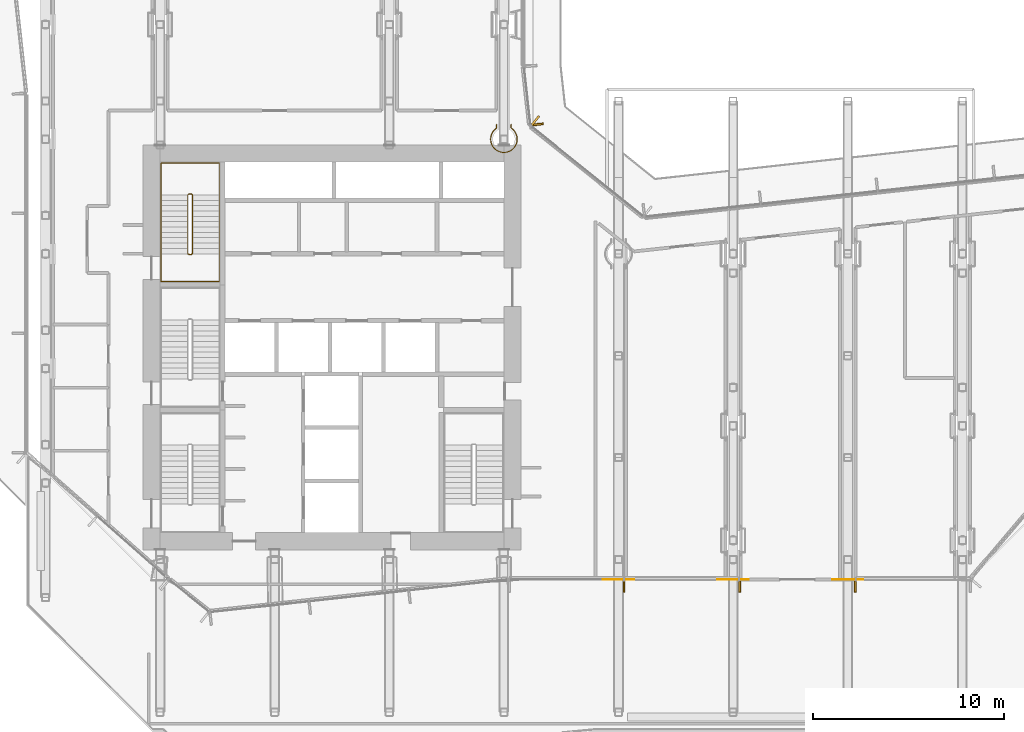
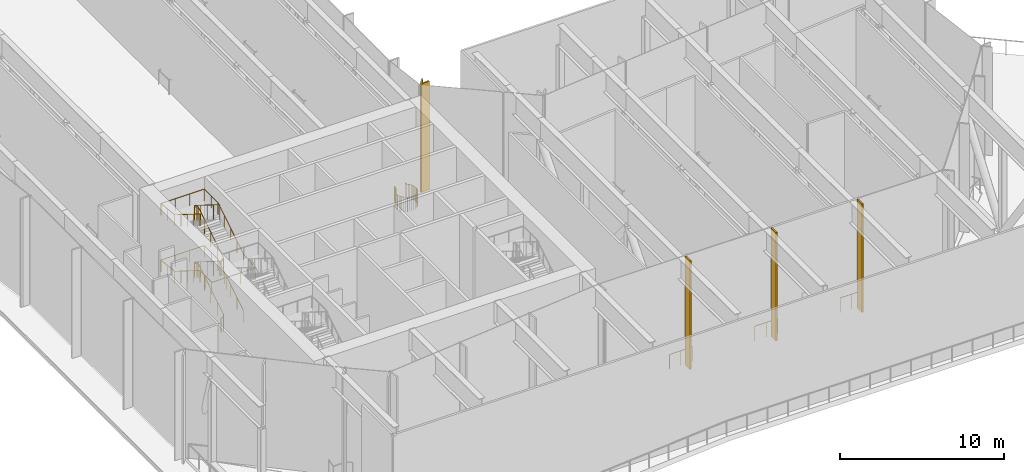
# One storey, part 20 of 25: 6 railings, 5 coverings.
"""IFC4 building model written with IfcOpenShell, lengths in metres."""

from ifc_helpers import new_model, si_unit, direction, frame, origin, origin_2d, place, context, subcontext, project, spatial, rectangle, circle, extrude, material, layer, layer_set, type_object, element, save


model = new_model("IFC4")

# Units and contexts
model_context = context("Model", 3, precision=1e-05, world=origin(), true_north=direction((0.0, 1.0)))
body_context = subcontext(model_context, "Body", "Model", "MODEL_VIEW")
ifc_project = project(units=[si_unit("LENGTHUNIT", "METRE"), si_unit("AREAUNIT", "SQUARE_METRE"), si_unit("VOLUMEUNIT", "CUBIC_METRE"), si_unit("PLANEANGLEUNIT", "RADIAN"), si_unit("MASSUNIT", "GRAM", prefix="KILO")], contexts=[model_context])

# Site, building, storey
site_placement = place(None, origin())
site = spatial("IfcSite", under=ifc_project, at=site_placement, CompositionType="ELEMENT")
building_placement = place(site_placement, origin())
building = spatial("IfcBuilding", under=site, at=building_placement, Name="Welwitschia Terrace Campus", CompositionType="ELEMENT")
storey_placement = place(building_placement, frame((0.0, 0.0, 79.39990234375)))
storey = spatial("IfcBuildingStorey", under=building, at=storey_placement, Name="L18", CompositionType="ELEMENT", Elevation=79.39990234375)

# Coverings
ifc_material_1 = material(Name="Bronze anodised aluminium", Category="aluminium")
ifc_layer = layer(ifc_material_1, 0.10009765625)
ifc_layer_set = layer_set([ifc_layer], Name="Bronze anodised aluminium")
covering_type = type_object("IfcCoveringType", Name="Bronze fin 100x600", PredefinedType="USERDEFINED", material=ifc_layer_set)
for number, where, z_axis, x_axis, name in (
    (1, (30.288330078125, 2.570068359375, 0.0), (0.0, 0.0, 1.0), (1.0, 0.0, 0.0), "Fin L18.8.1"),
    (2, (36.337158203125, 2.570068359375, 0.0), (0.0, 0.0, 1.0), (1.0, 0.0, 0.0), "Fin L18.8.2"),
    (3, (42.385986328125, 2.570068359375, 0.0), (0.0, 0.0, 1.0), (1.0, 0.0, 0.0), "Fin L18.8.3"),
    (4, (25.65283203125, 26.97900390625, 0.0), (0.0, 0.0, 1.0), (-0.779884483093, 0.625923472184, 0.0), "Fin L18.13.1"),
    (5, (25.76611328125, 26.772705078125, 0.0), (0.0, 0.0, 1.0), (-0.108866874852, 0.994056338222, 0.0), "Fin L18.14.0"),
):
    element("IfcCovering", number, at=place(storey_placement, frame(where, z_axis=z_axis, x_axis=x_axis)), inside=storey, type_object=covering_type, Name=name, ObjectType="FIN", PredefinedType="USERDEFINED", context=body_context, shape_type="SweptSolid", body=[
        extrude(rectangle(XDim=0.10009765625, YDim=0.60009765625, at=origin_2d()), origin(), (0.0, 0.0, 1.0), 8.050048828125),
    ])

# Railings
ifc_material_2 = material(Name="Stainless steel grade 316", Category="steel")
railing_type_1 = type_object("IfcRailingType", Name="Guard 1100", PredefinedType="GUARDRAIL", material=ifc_material_2)
for number, where, name in (
    (6, (29.199951171875, 2.949951171875, 0.0), "Guard terrace L18:0:0.5"),
    (7, (35.199951171875, 2.949951171875, 0.0), "Guard terrace L18:0:0.6"),
    (8, (41.199951171875, 2.949951171875, 0.0), "Guard terrace L18:0:0.7"),
):
    element("IfcRailing", number, at=place(storey_placement, frame(where)), inside=storey, type_object=railing_type_1, Name=name, PredefinedType="GUARDRAIL", context=body_context, shape_type="SweptSolid", body=[
        extrude(circle(Radius=0.02392578125, at=origin_2d()), frame((0.0, 0.0, 1.076171875), z_axis=(1.0, 0.0, 0.0), x_axis=(0.0, 1.0, 0.0)), (0.0, 0.0, 1.0), 1.60009765625),
        extrude(circle(Radius=0.02099609375, at=origin_2d()), origin(), (0.0, 0.0, 1.0), 1.052001953125),
        extrude(circle(Radius=0.02099609375, at=origin_2d()), frame((0.800048828125, 0.0, 0.0)), (0.0, 0.0, 1.0), 1.052001953125),
        extrude(circle(Radius=0.02099609375, at=origin_2d()), frame((1.60009765625, 0.0, 0.0)), (0.0, 0.0, 1.0), 1.052001953125),
    ])
railing_1_placement = place(storey_placement, frame((23.6201171875, 26.76318359375, 0.0)))
element("IfcRailing", 9, at=railing_1_placement, inside=storey, type_object=railing_type_1, Name="Guard floor edge L18.19", PredefinedType="GUARDRAIL", context=body_context, shape_type="SweptSolid", body=[
    extrude(circle(Radius=0.02392578125, at=origin_2d()), frame((0.0, 0.0, 1.076171875), z_axis=(0.0, -1.0, 0.0), x_axis=(1.0, 0.0, 0.0)), (0.0, 0.0, 1.0), 0.181396484375),
    extrude(circle(Radius=0.02392578125, at=origin_2d()), frame((0.0, -0.181396484375, 1.076171875), z_axis=(-0.887754531449, -0.460317164455, 0.0), x_axis=(0.460317164455, -0.887754531449, 0.0)), (0.0, 0.0, 1.0), 0.00732421875),
    extrude(circle(Radius=0.02392578125, at=origin_2d()), frame((-0.006591796875, -0.184814453125, 1.076171875), z_axis=(-0.77187853694, -0.635770024625, 0.0), x_axis=(0.635770024625, -0.77187853694, 0.0)), (0.0, 0.0, 1.0), 0.13623046875),
    extrude(circle(Radius=0.02392578125, at=origin_2d()), frame((-0.11181640625, -0.271484375, 1.076171875), z_axis=(-0.635770024625, -0.77187853694, 0.0), x_axis=(0.77187853694, -0.635770024625, 0.0)), (0.0, 0.0, 1.0), 0.13623046875),
    extrude(circle(Radius=0.02392578125, at=origin_2d()), frame((-0.198486328125, -0.376708984375, 1.076171875), z_axis=(-0.470681121721, -0.882303395469, 0.0), x_axis=(0.882303395469, -0.470681121721, 0.0)), (0.0, 0.0, 1.0), 0.136474609375),
    extrude(circle(Radius=0.02392578125, at=origin_2d()), frame((-0.2626953125, -0.4970703125, 1.076171875), z_axis=(-0.290305798508, -0.956933928415, 0.0), x_axis=(0.956933928415, -0.290305798508, 0.0)), (0.0, 0.0, 1.0), 0.13623046875),
    extrude(circle(Radius=0.02392578125, at=origin_2d()), frame((-0.30224609375, -0.62744140625, 1.076171875), z_axis=(-0.098440399571, -0.995142948391, 0.0), x_axis=(0.995142948391, -0.098440399571, 0.0)), (0.0, 0.0, 1.0), 0.136474609375),
    extrude(circle(Radius=0.02392578125, at=origin_2d()), frame((-0.315673828125, -0.76318359375, 1.076171875), z_axis=(0.098440399571, -0.995142948391, 0.0), x_axis=(0.995142948391, 0.098440399571, 0.0)), (0.0, 0.0, 1.0), 0.136474609375),
    extrude(circle(Radius=0.02392578125, at=origin_2d()), frame((-0.30224609375, -0.89892578125, 1.076171875), z_axis=(0.290305798508, -0.956933928415, 0.0), x_axis=(0.956933928415, 0.290305798508, 0.0)), (0.0, 0.0, 1.0), 0.13623046875),
    extrude(circle(Radius=0.02392578125, at=origin_2d()), frame((-0.2626953125, -1.029296875, 1.076171875), z_axis=(0.470681121721, -0.882303395469, 0.0), x_axis=(0.882303395469, 0.470681121721, 0.0)), (0.0, 0.0, 1.0), 0.136474609375),
    extrude(circle(Radius=0.02392578125, at=origin_2d()), frame((-0.198486328125, -1.149658203125, 1.076171875), z_axis=(0.635770024625, -0.77187853694, 0.0), x_axis=(0.77187853694, 0.635770024625, 0.0)), (0.0, 0.0, 1.0), 0.13623046875),
    extrude(circle(Radius=0.02392578125, at=origin_2d()), frame((-0.11181640625, -1.2548828125, 1.076171875), z_axis=(0.77187853694, -0.635770024625, 0.0), x_axis=(0.635770024625, 0.77187853694, 0.0)), (0.0, 0.0, 1.0), 0.13623046875),
    extrude(circle(Radius=0.02392578125, at=origin_2d()), frame((-0.006591796875, -1.341552734375, 1.076171875), z_axis=(0.882303395469, -0.470681121721, 0.0), x_axis=(0.470681121721, 0.882303395469, 0.0)), (0.0, 0.0, 1.0), 0.136474609375),
    extrude(circle(Radius=0.02392578125, at=origin_2d()), frame((0.11376953125, -1.40576171875, 1.076171875), z_axis=(0.956933928415, -0.290305798508, 0.0), x_axis=(0.290305798508, 0.956933928415, 0.0)), (0.0, 0.0, 1.0), 0.13623046875),
    extrude(circle(Radius=0.02392578125, at=origin_2d()), frame((0.244140625, -1.4453125, 1.076171875), z_axis=(0.995142948391, -0.098440399571, 0.0), x_axis=(0.098440399571, 0.995142948391, 0.0)), (0.0, 0.0, 1.0), 0.136474609375),
    extrude(circle(Radius=0.02392578125, at=origin_2d()), frame((0.3798828125, -1.458740234375, 1.076171875), z_axis=(0.995142948391, 0.098440399571, 0.0), x_axis=(-0.098440399571, 0.995142948391, 0.0)), (0.0, 0.0, 1.0), 0.136474609375),
    extrude(circle(Radius=0.02392578125, at=origin_2d()), frame((0.515625, -1.4453125, 1.076171875), z_axis=(0.956933928415, 0.290305798508, 0.0), x_axis=(-0.290305798508, 0.956933928415, 0.0)), (0.0, 0.0, 1.0), 0.13623046875),
    extrude(circle(Radius=0.02392578125, at=origin_2d()), frame((0.64599609375, -1.40576171875, 1.076171875), z_axis=(0.882303395469, 0.470681121721, 0.0), x_axis=(-0.470681121721, 0.882303395469, 0.0)), (0.0, 0.0, 1.0), 0.136474609375),
    extrude(circle(Radius=0.02392578125, at=origin_2d()), frame((0.766357421875, -1.341552734375, 1.076171875), z_axis=(0.77187853694, 0.635770024625, 0.0), x_axis=(-0.635770024625, 0.77187853694, 0.0)), (0.0, 0.0, 1.0), 0.13623046875),
    extrude(circle(Radius=0.02392578125, at=origin_2d()), frame((0.87158203125, -1.2548828125, 1.076171875), z_axis=(0.635770024625, 0.77187853694, 0.0), x_axis=(-0.77187853694, 0.635770024625, 0.0)), (0.0, 0.0, 1.0), 0.13623046875),
    extrude(circle(Radius=0.02392578125, at=origin_2d()), frame((0.958251953125, -1.149658203125, 1.076171875), z_axis=(0.470681121721, 0.882303395469, 0.0), x_axis=(-0.882303395469, 0.470681121721, 0.0)), (0.0, 0.0, 1.0), 0.136474609375),
    extrude(circle(Radius=0.02392578125, at=origin_2d()), frame((1.0224609375, -1.029296875, 1.076171875), z_axis=(0.290305798508, 0.956933928415, 0.0), x_axis=(-0.956933928415, 0.290305798508, 0.0)), (0.0, 0.0, 1.0), 0.13623046875),
    extrude(circle(Radius=0.02392578125, at=origin_2d()), frame((1.06201171875, -0.89892578125, 1.076171875), z_axis=(0.098440399571, 0.995142948391, 0.0), x_axis=(-0.995142948391, 0.098440399571, 0.0)), (0.0, 0.0, 1.0), 0.136474609375),
    extrude(circle(Radius=0.02392578125, at=origin_2d()), frame((1.075439453125, -0.76318359375, 1.076171875), z_axis=(-0.098440399571, 0.995142948391, 0.0), x_axis=(-0.995142948391, -0.098440399571, 0.0)), (0.0, 0.0, 1.0), 0.136474609375),
    extrude(circle(Radius=0.02392578125, at=origin_2d()), frame((1.06201171875, -0.62744140625, 1.076171875), z_axis=(-0.290305798508, 0.956933928415, 0.0), x_axis=(-0.956933928415, -0.290305798508, 0.0)), (0.0, 0.0, 1.0), 0.13623046875),
    extrude(circle(Radius=0.02392578125, at=origin_2d()), frame((1.0224609375, -0.4970703125, 1.076171875), z_axis=(-0.470681121721, 0.882303395469, 0.0), x_axis=(-0.882303395469, -0.470681121721, 0.0)), (0.0, 0.0, 1.0), 0.136474609375),
    extrude(circle(Radius=0.02392578125, at=origin_2d()), frame((0.958251953125, -0.376708984375, 1.076171875), z_axis=(-0.635770024625, 0.77187853694, 0.0), x_axis=(-0.77187853694, -0.635770024625, 0.0)), (0.0, 0.0, 1.0), 0.13623046875),
    extrude(circle(Radius=0.02392578125, at=origin_2d()), frame((0.87158203125, -0.271484375, 1.076171875), z_axis=(-0.77187853694, 0.635770024625, 0.0), x_axis=(-0.635770024625, -0.77187853694, 0.0)), (0.0, 0.0, 1.0), 0.13623046875),
    extrude(circle(Radius=0.02392578125, at=origin_2d()), frame((0.766357421875, -0.184814453125, 1.076171875), z_axis=(-0.887754531449, 0.460317164455, 0.0), x_axis=(-0.460317164455, -0.887754531449, 0.0)), (0.0, 0.0, 1.0), 0.00732421875),
    extrude(circle(Radius=0.02392578125, at=origin_2d()), frame((0.759765625, -0.181396484375, 1.076171875), z_axis=(0.0, 1.0, 0.0), x_axis=(-1.0, 0.0, 0.0)), (0.0, 0.0, 1.0), 0.181396484375),
    extrude(circle(Radius=0.02099609375, at=origin_2d()), origin(), (0.0, 0.0, 1.0), 1.052001953125),
    extrude(circle(Radius=0.02099609375, at=origin_2d()), frame((0.0, -0.181396484375, 0.0)), (0.0, 0.0, 1.0), 1.052001953125),
    extrude(circle(Radius=0.02099609375, at=origin_2d()), frame((-0.006591796875, -0.184814453125, 0.0)), (0.0, 0.0, 1.0), 1.052001953125),
    extrude(circle(Radius=0.02099609375, at=origin_2d()), frame((-0.11181640625, -0.271484375, 0.0)), (0.0, 0.0, 1.0), 1.052001953125),
    extrude(circle(Radius=0.02099609375, at=origin_2d()), frame((-0.198486328125, -0.376708984375, 0.0)), (0.0, 0.0, 1.0), 1.052001953125),
    extrude(circle(Radius=0.02099609375, at=origin_2d()), frame((-0.2626953125, -0.4970703125, 0.0)), (0.0, 0.0, 1.0), 1.052001953125),
    extrude(circle(Radius=0.02099609375, at=origin_2d()), frame((-0.30224609375, -0.62744140625, 0.0)), (0.0, 0.0, 1.0), 1.052001953125),
    extrude(circle(Radius=0.02099609375, at=origin_2d()), frame((-0.315673828125, -0.76318359375, 0.0)), (0.0, 0.0, 1.0), 1.052001953125),
    extrude(circle(Radius=0.02099609375, at=origin_2d()), frame((-0.30224609375, -0.89892578125, 0.0)), (0.0, 0.0, 1.0), 1.052001953125),
    extrude(circle(Radius=0.02099609375, at=origin_2d()), frame((-0.2626953125, -1.029296875, 0.0)), (0.0, 0.0, 1.0), 1.052001953125),
    extrude(circle(Radius=0.02099609375, at=origin_2d()), frame((-0.198486328125, -1.149658203125, 0.0)), (0.0, 0.0, 1.0), 1.052001953125),
    extrude(circle(Radius=0.02099609375, at=origin_2d()), frame((-0.11181640625, -1.2548828125, 0.0)), (0.0, 0.0, 1.0), 1.052001953125),
    extrude(circle(Radius=0.02099609375, at=origin_2d()), frame((-0.006591796875, -1.341552734375, 0.0)), (0.0, 0.0, 1.0), 1.052001953125),
    extrude(circle(Radius=0.02099609375, at=origin_2d()), frame((0.11376953125, -1.40576171875, 0.0)), (0.0, 0.0, 1.0), 1.052001953125),
    extrude(circle(Radius=0.02099609375, at=origin_2d()), frame((0.244140625, -1.4453125, 0.0)), (0.0, 0.0, 1.0), 1.052001953125),
    extrude(circle(Radius=0.02099609375, at=origin_2d()), frame((0.3798828125, -1.458740234375, 0.0)), (0.0, 0.0, 1.0), 1.052001953125),
    extrude(circle(Radius=0.02099609375, at=origin_2d()), frame((0.515625, -1.4453125, 0.0)), (0.0, 0.0, 1.0), 1.052001953125),
    extrude(circle(Radius=0.02099609375, at=origin_2d()), frame((0.64599609375, -1.40576171875, 0.0)), (0.0, 0.0, 1.0), 1.052001953125),
    extrude(circle(Radius=0.02099609375, at=origin_2d()), frame((0.766357421875, -1.341552734375, 0.0)), (0.0, 0.0, 1.0), 1.052001953125),
    extrude(circle(Radius=0.02099609375, at=origin_2d()), frame((0.87158203125, -1.2548828125, 0.0)), (0.0, 0.0, 1.0), 1.052001953125),
    extrude(circle(Radius=0.02099609375, at=origin_2d()), frame((0.958251953125, -1.149658203125, 0.0)), (0.0, 0.0, 1.0), 1.052001953125),
    extrude(circle(Radius=0.02099609375, at=origin_2d()), frame((1.0224609375, -1.029296875, 0.0)), (0.0, 0.0, 1.0), 1.052001953125),
    extrude(circle(Radius=0.02099609375, at=origin_2d()), frame((1.06201171875, -0.89892578125, 0.0)), (0.0, 0.0, 1.0), 1.052001953125),
    extrude(circle(Radius=0.02099609375, at=origin_2d()), frame((1.075439453125, -0.76318359375, 0.0)), (0.0, 0.0, 1.0), 1.052001953125),
    extrude(circle(Radius=0.02099609375, at=origin_2d()), frame((1.06201171875, -0.62744140625, 0.0)), (0.0, 0.0, 1.0), 1.052001953125),
    extrude(circle(Radius=0.02099609375, at=origin_2d()), frame((1.0224609375, -0.4970703125, 0.0)), (0.0, 0.0, 1.0), 1.052001953125),
    extrude(circle(Radius=0.02099609375, at=origin_2d()), frame((0.958251953125, -0.376708984375, 0.0)), (0.0, 0.0, 1.0), 1.052001953125),
    extrude(circle(Radius=0.02099609375, at=origin_2d()), frame((0.87158203125, -0.271484375, 0.0)), (0.0, 0.0, 1.0), 1.052001953125),
    extrude(circle(Radius=0.02099609375, at=origin_2d()), frame((0.766357421875, -0.184814453125, 0.0)), (0.0, 0.0, 1.0), 1.052001953125),
    extrude(circle(Radius=0.02099609375, at=origin_2d()), frame((0.759765625, -0.181396484375, 0.0)), (0.0, 0.0, 1.0), 1.052001953125),
    extrude(circle(Radius=0.02099609375, at=origin_2d()), frame((0.759765625, 0.0, 0.0)), (0.0, 0.0, 1.0), 1.052001953125),
])
ifc_material_3 = material(Name="Steel S355", Category="steel")
railing_type_2 = type_object("IfcRailingType", Name="Stair guard 1100", PredefinedType="GUARDRAIL", material=ifc_material_3)
railing_2_placement = place(storey_placement, frame((7.5, 19.949951171875, 0.0)))
element("IfcRailing", 10, at=railing_2_placement, inside=storey, type_object=railing_type_2, Name="L18 S4 stair guard", PredefinedType="GUARDRAIL", context=body_context, shape_type="SweptSolid", body=[
    extrude(circle(Radius=0.02392578125, at=origin_2d()), frame((0.0, 0.0, 1.076171875), z_axis=(1.0, 0.0, 0.0), x_axis=(0.0, 1.0, 0.0)), (0.0, 0.0, 1.0), 0.14990234375),
    extrude(circle(Radius=0.02392578125, at=origin_2d()), frame((0.14990234375, 0.0, 1.076171875), z_axis=(0.265065253269, 0.265065253269, 0.927081885822), x_axis=(-0.707106781187, 0.707106781187, 0.0)), (0.0, 0.0, 1.0), 0.188720703125),
    extrude(circle(Radius=0.02392578125, at=origin_2d()), frame((0.199951171875, 0.050048828125, 1.2509765625), z_axis=(0.0, 0.847998304005, 0.529998940003), x_axis=(-1.0, 0.0, 0.0)), (0.0, 0.0, 1.0), 3.632080078125),
    extrude(circle(Radius=0.02392578125, at=origin_2d()), frame((0.199951171875, 3.130126953125, 3.17626953125), z_axis=(-0.708833529934, 0.705375805398, 0.0), x_axis=(-0.705375805398, -0.708833529934, 0.0)), (0.0, 0.0, 1.0), 0.070556640625),
    extrude(circle(Radius=0.02392578125, at=origin_2d()), frame((0.14990234375, 3.179931640625, 3.17626953125), z_axis=(-1.0, 0.0, 0.0), x_axis=(0.0, -1.0, 0.0)), (0.0, 0.0, 1.0), 0.14990234375),
    extrude(circle(Radius=0.02392578125, at=origin_2d()), frame((0.0, 3.179931640625, 3.17626953125), z_axis=(-0.265155923931, -0.263862480399, 0.927399011991), x_axis=(0.705375805398, -0.708833529934, 0.0)), (0.0, 0.0, 1.0), 0.188720703125),
    extrude(circle(Radius=0.02392578125, at=origin_2d()), frame((-0.050048828125, 3.130126953125, 3.35107421875), z_axis=(0.0, -0.847998304005, 0.529998940003), x_axis=(1.0, 0.0, 0.0)), (0.0, 0.0, 1.0), 3.632080078125),
    extrude(circle(Radius=0.02392578125, at=origin_2d()), frame((-0.050048828125, 0.050048828125, 5.2763671875), z_axis=(0.970072785993, -0.242814311512, 0.0), x_axis=(0.242814311512, 0.970072785993, 0.0)), (0.0, 0.0, 1.0), 0.2060546875),
    extrude(circle(Radius=0.02392578125, at=origin_2d()), frame((0.14990234375, 0.0, 5.2763671875), z_axis=(-1.0, 0.0, 0.0), x_axis=(0.0, -1.0, 0.0)), (0.0, 0.0, 1.0), 0.14990234375),
    extrude(circle(Radius=0.02392578125, at=origin_2d()), frame((0.0, 0.0, 5.2763671875), z_axis=(0.73983951143, 0.185185714094, 0.646794981909), x_axis=(-0.242814311512, 0.970072785993, 0.0)), (0.0, 0.0, 1.0), 0.270263671875),
    extrude(circle(Radius=0.02392578125, at=origin_2d()), frame((0.199951171875, 0.050048828125, 5.451171875), z_axis=(0.0, 0.847998304005, 0.529998940003), x_axis=(-1.0, 0.0, 0.0)), (0.0, 0.0, 1.0), 3.632080078125),
    extrude(circle(Radius=0.02392578125, at=origin_2d()), frame((0.199951171875, 3.130126953125, 7.3759765625), z_axis=(-0.708833529934, 0.705375805398, 0.0), x_axis=(-0.705375805398, -0.708833529934, 0.0)), (0.0, 0.0, 1.0), 0.070556640625),
    extrude(circle(Radius=0.02392578125, at=origin_2d()), frame((0.14990234375, 3.179931640625, 7.3759765625), z_axis=(-1.0, 0.0, 0.0), x_axis=(0.0, -1.0, 0.0)), (0.0, 0.0, 1.0), 0.14990234375),
    extrude(circle(Radius=0.02392578125, at=origin_2d()), frame((0.0, 3.179931640625, 7.3759765625), z_axis=(-0.265155923931, -0.263862480399, 0.927399011991), x_axis=(0.705375805398, -0.708833529934, 0.0)), (0.0, 0.0, 1.0), 0.188720703125),
    extrude(circle(Radius=0.02392578125, at=origin_2d()), frame((-0.050048828125, 3.130126953125, 7.55126953125), z_axis=(0.0, -0.847998304005, 0.529998940003), x_axis=(1.0, 0.0, 0.0)), (0.0, 0.0, 1.0), 3.632080078125),
    extrude(circle(Radius=0.02099609375, at=origin_2d()), origin(), (0.0, 0.0, 1.0), 1.052001953125),
    extrude(circle(Radius=0.02099609375, at=origin_2d()), frame((0.14990234375, 0.0, 0.0)), (0.0, 0.0, 1.0), 1.052001953125),
    extrude(circle(Radius=0.02099609375, at=origin_2d()), frame((0.199951171875, 0.050048828125, 0.175048828125)), (0.0, 0.0, 1.0), 1.052001953125),
    extrude(circle(Radius=0.02099609375, at=origin_2d()), frame((0.199951171875, 0.820068359375, 0.65625)), (0.0, 0.0, 1.0), 1.052001953125),
    extrude(circle(Radius=0.02099609375, at=origin_2d()), frame((0.199951171875, 1.590087890625, 1.1376953125)), (0.0, 0.0, 1.0), 1.052001953125),
    extrude(circle(Radius=0.02099609375, at=origin_2d()), frame((0.199951171875, 2.360107421875, 1.618896484375)), (0.0, 0.0, 1.0), 1.052001953125),
    extrude(circle(Radius=0.02099609375, at=origin_2d()), frame((0.199951171875, 3.130126953125, 2.10009765625)), (0.0, 0.0, 1.0), 1.052001953125),
    extrude(circle(Radius=0.02099609375, at=origin_2d()), frame((0.14990234375, 3.179931640625, 2.10009765625)), (0.0, 0.0, 1.0), 1.052001953125),
    extrude(circle(Radius=0.02099609375, at=origin_2d()), frame((0.0, 3.179931640625, 2.10009765625)), (0.0, 0.0, 1.0), 1.052001953125),
    extrude(circle(Radius=0.02099609375, at=origin_2d()), frame((-0.050048828125, 3.130126953125, 2.275146484375)), (0.0, 0.0, 1.0), 1.052001953125),
    extrude(circle(Radius=0.02099609375, at=origin_2d()), frame((-0.050048828125, 2.360107421875, 2.75634765625)), (0.0, 0.0, 1.0), 1.052001953125),
    extrude(circle(Radius=0.02099609375, at=origin_2d()), frame((-0.050048828125, 1.590087890625, 3.23779296875)), (0.0, 0.0, 1.0), 1.052001953125),
    extrude(circle(Radius=0.02099609375, at=origin_2d()), frame((-0.050048828125, 0.820068359375, 3.718994140625)), (0.0, 0.0, 1.0), 1.052001953125),
    extrude(circle(Radius=0.02099609375, at=origin_2d()), frame((-0.050048828125, 0.050048828125, 4.2001953125)), (0.0, 0.0, 1.0), 1.052001953125),
    extrude(circle(Radius=0.02099609375, at=origin_2d()), frame((0.14990234375, 0.0, 4.2001953125)), (0.0, 0.0, 1.0), 1.052001953125),
    extrude(circle(Radius=0.02099609375, at=origin_2d()), frame((0.0, 0.0, 4.2001953125)), (0.0, 0.0, 1.0), 1.052001953125),
    extrude(circle(Radius=0.02099609375, at=origin_2d()), frame((0.199951171875, 0.050048828125, 4.375)), (0.0, 0.0, 1.0), 1.052001953125),
    extrude(circle(Radius=0.02099609375, at=origin_2d()), frame((0.199951171875, 0.820068359375, 4.856201171875)), (0.0, 0.0, 1.0), 1.052001953125),
    extrude(circle(Radius=0.02099609375, at=origin_2d()), frame((0.199951171875, 1.590087890625, 5.33740234375)), (0.0, 0.0, 1.0), 1.052001953125),
    extrude(circle(Radius=0.02099609375, at=origin_2d()), frame((0.199951171875, 2.360107421875, 5.81884765625)), (0.0, 0.0, 1.0), 1.052001953125),
    extrude(circle(Radius=0.02099609375, at=origin_2d()), frame((0.199951171875, 3.130126953125, 6.300048828125)), (0.0, 0.0, 1.0), 1.052001953125),
    extrude(circle(Radius=0.02099609375, at=origin_2d()), frame((0.14990234375, 3.179931640625, 6.300048828125)), (0.0, 0.0, 1.0), 1.052001953125),
    extrude(circle(Radius=0.02099609375, at=origin_2d()), frame((0.0, 3.179931640625, 6.300048828125)), (0.0, 0.0, 1.0), 1.052001953125),
    extrude(circle(Radius=0.02099609375, at=origin_2d()), frame((-0.050048828125, 3.130126953125, 6.47509765625)), (0.0, 0.0, 1.0), 1.052001953125),
    extrude(circle(Radius=0.02099609375, at=origin_2d()), frame((-0.050048828125, 2.360107421875, 6.956298828125)), (0.0, 0.0, 1.0), 1.052001953125),
    extrude(circle(Radius=0.02099609375, at=origin_2d()), frame((-0.050048828125, 1.590087890625, 7.4375)), (0.0, 0.0, 1.0), 1.052001953125),
    extrude(circle(Radius=0.02099609375, at=origin_2d()), frame((-0.050048828125, 0.820068359375, 7.9189453125)), (0.0, 0.0, 1.0), 1.052001953125),
    extrude(circle(Radius=0.02099609375, at=origin_2d()), frame((-0.050048828125, 0.050048828125, 8.400146484375)), (0.0, 0.0, 1.0), 1.052001953125),
])
ifc_material_4 = material(Name="Steel S355", Category="steel")
railing_type_3 = type_object("IfcRailingType", Name="Stair handrail 900", PredefinedType="HANDRAIL", material=ifc_material_4)
railing_3_placement = place(storey_placement, frame((9.10009765625, 20.0, 0.175048828125)))
element("IfcRailing", 11, at=railing_3_placement, inside=storey, type_object=railing_type_3, Name="L18 S4 stair handrail", PredefinedType="HANDRAIL", context=body_context, shape_type="SweptSolid", body=[
    extrude(circle(Radius=0.02392578125, at=origin_2d()), frame((0.0, 0.0, 0.8759765625), z_axis=(0.0, 0.847998304005, 0.529998940003), x_axis=(-1.0, 0.0, 0.0)), (0.0, 0.0, 1.0), 3.632080078125),
    extrude(circle(Radius=0.02392578125, at=origin_2d()), frame((0.0, 3.080078125, 2.80078125), z_axis=(0.0, 1.0, 0.0), x_axis=(-1.0, 0.0, 0.0)), (0.0, 0.0, 1.0), 1.669921875),
    extrude(circle(Radius=0.02392578125, at=origin_2d()), frame((0.0, 4.75, 2.80078125), z_axis=(-1.0, 0.0, 0.0), x_axis=(0.0, -1.0, 0.0)), (0.0, 0.0, 1.0), 3.050048828125),
    extrude(circle(Radius=0.02392578125, at=origin_2d()), frame((-3.050048828125, 4.75, 2.80078125), z_axis=(0.0, -0.99455077262, 0.104253348533), x_axis=(1.0, 0.0, 0.0)), (0.0, 0.0, 1.0), 1.678955078125),
    extrude(circle(Radius=0.02392578125, at=origin_2d()), frame((-3.050048828125, 3.080078125, 2.97607421875), z_axis=(0.0, -0.847998304005, 0.529998940003), x_axis=(1.0, 0.0, 0.0)), (0.0, 0.0, 1.0), 3.632080078125),
    extrude(circle(Radius=0.02392578125, at=origin_2d()), frame((-3.050048828125, 0.0, 4.90087890625), z_axis=(0.0, -1.0, 0.0), x_axis=(1.0, 0.0, 0.0)), (0.0, 0.0, 1.0), 1.449951171875),
    extrude(circle(Radius=0.02392578125, at=origin_2d()), frame((-3.050048828125, -1.449951171875, 4.90087890625), z_axis=(1.0, 0.0, 0.0), x_axis=(0.0, 1.0, 0.0)), (0.0, 0.0, 1.0), 3.050048828125),
    extrude(circle(Radius=0.02392578125, at=origin_2d()), frame((0.0, -1.449951171875, 4.90087890625), z_axis=(0.0, 0.992811033416, 0.119692321927), x_axis=(-1.0, 0.0, 0.0)), (0.0, 0.0, 1.0), 1.46044921875),
    extrude(circle(Radius=0.02392578125, at=origin_2d()), frame((0.0, 0.0, 5.07568359375), z_axis=(0.0, 0.847998304005, 0.529998940003), x_axis=(-1.0, 0.0, 0.0)), (0.0, 0.0, 1.0), 3.632080078125),
    extrude(circle(Radius=0.02392578125, at=origin_2d()), frame((0.0, 3.080078125, 7.0009765625), z_axis=(0.0, 1.0, 0.0), x_axis=(-1.0, 0.0, 0.0)), (0.0, 0.0, 1.0), 1.669921875),
    extrude(circle(Radius=0.02392578125, at=origin_2d()), frame((0.0, 4.75, 7.0009765625), z_axis=(-1.0, 0.0, 0.0), x_axis=(0.0, -1.0, 0.0)), (0.0, 0.0, 1.0), 3.050048828125),
    extrude(circle(Radius=0.02392578125, at=origin_2d()), frame((-3.050048828125, 4.75, 7.0009765625), z_axis=(0.0, -0.99455077262, 0.104253348533), x_axis=(1.0, 0.0, 0.0)), (0.0, 0.0, 1.0), 1.678955078125),
    extrude(circle(Radius=0.02392578125, at=origin_2d()), frame((-3.050048828125, 3.080078125, 7.17578125), z_axis=(0.0, -0.847998304005, 0.529998940003), x_axis=(1.0, 0.0, 0.0)), (0.0, 0.0, 1.0), 3.632080078125),
    extrude(circle(Radius=0.02099609375, at=origin_2d()), origin(), (0.0, 0.0, 1.0), 0.851806640625),
    extrude(circle(Radius=0.02099609375, at=origin_2d()), frame((0.0, 0.77001953125, 0.481201171875)), (0.0, 0.0, 1.0), 0.851806640625),
    extrude(circle(Radius=0.02099609375, at=origin_2d()), frame((0.0, 1.5400390625, 0.96240234375)), (0.0, 0.0, 1.0), 0.851806640625),
    extrude(circle(Radius=0.02099609375, at=origin_2d()), frame((0.0, 2.31005859375, 1.44384765625)), (0.0, 0.0, 1.0), 0.851806640625),
    extrude(circle(Radius=0.02099609375, at=origin_2d()), frame((0.0, 3.080078125, 1.925048828125)), (0.0, 0.0, 1.0), 0.851806640625),
    extrude(circle(Radius=0.02099609375, at=origin_2d()), frame((0.0, 3.9150390625, 1.925048828125)), (0.0, 0.0, 1.0), 0.851806640625),
    extrude(circle(Radius=0.02099609375, at=origin_2d()), frame((0.0, 4.75, 1.925048828125)), (0.0, 0.0, 1.0), 0.851806640625),
    extrude(circle(Radius=0.02099609375, at=origin_2d()), frame((-1.0166015625, 4.75, 1.925048828125)), (0.0, 0.0, 1.0), 0.851806640625),
    extrude(circle(Radius=0.02099609375, at=origin_2d()), frame((-2.033447265625, 4.75, 1.925048828125)), (0.0, 0.0, 1.0), 0.851806640625),
    extrude(circle(Radius=0.02099609375, at=origin_2d()), frame((-3.050048828125, 4.75, 1.925048828125)), (0.0, 0.0, 1.0), 0.851806640625),
    extrude(circle(Radius=0.02099609375, at=origin_2d()), frame((-3.050048828125, 3.9150390625, 2.0126953125)), (0.0, 0.0, 1.0), 0.851806640625),
    extrude(circle(Radius=0.02099609375, at=origin_2d()), frame((-3.050048828125, 3.080078125, 2.10009765625)), (0.0, 0.0, 1.0), 0.851806640625),
    extrude(circle(Radius=0.02099609375, at=origin_2d()), frame((-3.050048828125, 2.31005859375, 2.581298828125)), (0.0, 0.0, 1.0), 0.851806640625),
    extrude(circle(Radius=0.02099609375, at=origin_2d()), frame((-3.050048828125, 1.5400390625, 3.0625)), (0.0, 0.0, 1.0), 0.851806640625),
    extrude(circle(Radius=0.02099609375, at=origin_2d()), frame((-3.050048828125, 0.77001953125, 3.5439453125)), (0.0, 0.0, 1.0), 0.851806640625),
    extrude(circle(Radius=0.02099609375, at=origin_2d()), frame((-3.050048828125, 0.0, 4.025146484375)), (0.0, 0.0, 1.0), 0.851806640625),
    extrude(circle(Radius=0.02099609375, at=origin_2d()), frame((-3.050048828125, -0.72509765625, 4.025146484375)), (0.0, 0.0, 1.0), 0.851806640625),
    extrude(circle(Radius=0.02099609375, at=origin_2d()), frame((-3.050048828125, -1.449951171875, 4.025146484375)), (0.0, 0.0, 1.0), 0.851806640625),
    extrude(circle(Radius=0.02099609375, at=origin_2d()), frame((-2.033447265625, -1.449951171875, 4.025146484375)), (0.0, 0.0, 1.0), 0.851806640625),
    extrude(circle(Radius=0.02099609375, at=origin_2d()), frame((-1.0166015625, -1.449951171875, 4.025146484375)), (0.0, 0.0, 1.0), 0.851806640625),
    extrude(circle(Radius=0.02099609375, at=origin_2d()), frame((0.0, -1.449951171875, 4.025146484375)), (0.0, 0.0, 1.0), 0.851806640625),
    extrude(circle(Radius=0.02099609375, at=origin_2d()), frame((0.0, -0.72509765625, 4.112548828125)), (0.0, 0.0, 1.0), 0.851806640625),
    extrude(circle(Radius=0.02099609375, at=origin_2d()), frame((0.0, 0.0, 4.199951171875)), (0.0, 0.0, 1.0), 0.851806640625),
    extrude(circle(Radius=0.02099609375, at=origin_2d()), frame((0.0, 0.77001953125, 4.68115234375)), (0.0, 0.0, 1.0), 0.851806640625),
    extrude(circle(Radius=0.02099609375, at=origin_2d()), frame((0.0, 1.5400390625, 5.16259765625)), (0.0, 0.0, 1.0), 0.851806640625),
    extrude(circle(Radius=0.02099609375, at=origin_2d()), frame((0.0, 2.31005859375, 5.643798828125)), (0.0, 0.0, 1.0), 0.851806640625),
    extrude(circle(Radius=0.02099609375, at=origin_2d()), frame((0.0, 3.080078125, 6.125)), (0.0, 0.0, 1.0), 0.851806640625),
    extrude(circle(Radius=0.02099609375, at=origin_2d()), frame((0.0, 3.9150390625, 6.125)), (0.0, 0.0, 1.0), 0.851806640625),
    extrude(circle(Radius=0.02099609375, at=origin_2d()), frame((0.0, 4.75, 6.125)), (0.0, 0.0, 1.0), 0.851806640625),
    extrude(circle(Radius=0.02099609375, at=origin_2d()), frame((-1.0166015625, 4.75, 6.125)), (0.0, 0.0, 1.0), 0.851806640625),
    extrude(circle(Radius=0.02099609375, at=origin_2d()), frame((-2.033447265625, 4.75, 6.125)), (0.0, 0.0, 1.0), 0.851806640625),
    extrude(circle(Radius=0.02099609375, at=origin_2d()), frame((-3.050048828125, 4.75, 6.125)), (0.0, 0.0, 1.0), 0.851806640625),
    extrude(circle(Radius=0.02099609375, at=origin_2d()), frame((-3.050048828125, 3.9150390625, 6.21240234375)), (0.0, 0.0, 1.0), 0.851806640625),
    extrude(circle(Radius=0.02099609375, at=origin_2d()), frame((-3.050048828125, 3.080078125, 6.300048828125)), (0.0, 0.0, 1.0), 0.851806640625),
    extrude(circle(Radius=0.02099609375, at=origin_2d()), frame((-3.050048828125, 2.31005859375, 6.78125)), (0.0, 0.0, 1.0), 0.851806640625),
    extrude(circle(Radius=0.02099609375, at=origin_2d()), frame((-3.050048828125, 1.5400390625, 7.2626953125)), (0.0, 0.0, 1.0), 0.851806640625),
    extrude(circle(Radius=0.02099609375, at=origin_2d()), frame((-3.050048828125, 0.77001953125, 7.743896484375)), (0.0, 0.0, 1.0), 0.851806640625),
    extrude(circle(Radius=0.02099609375, at=origin_2d()), frame((-3.050048828125, 0.0, 8.22509765625)), (0.0, 0.0, 1.0), 0.851806640625),
])

save(model, "model.ifc")
